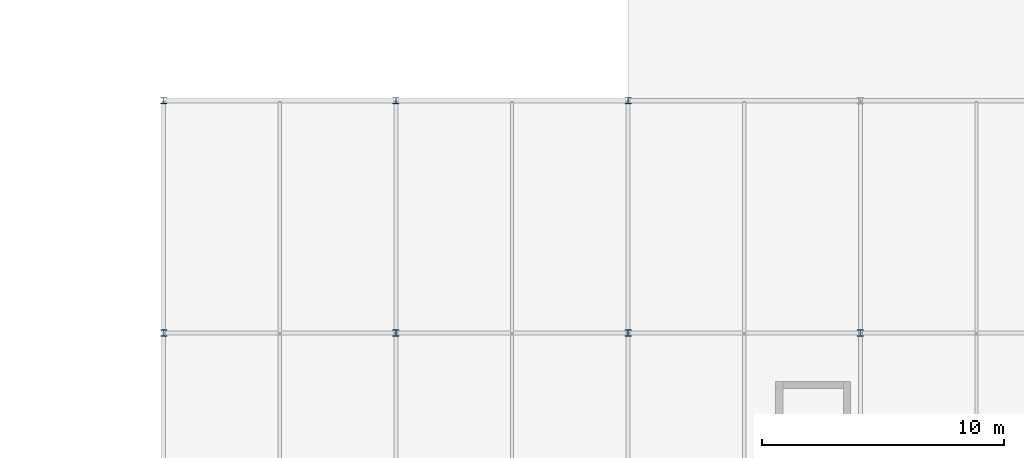
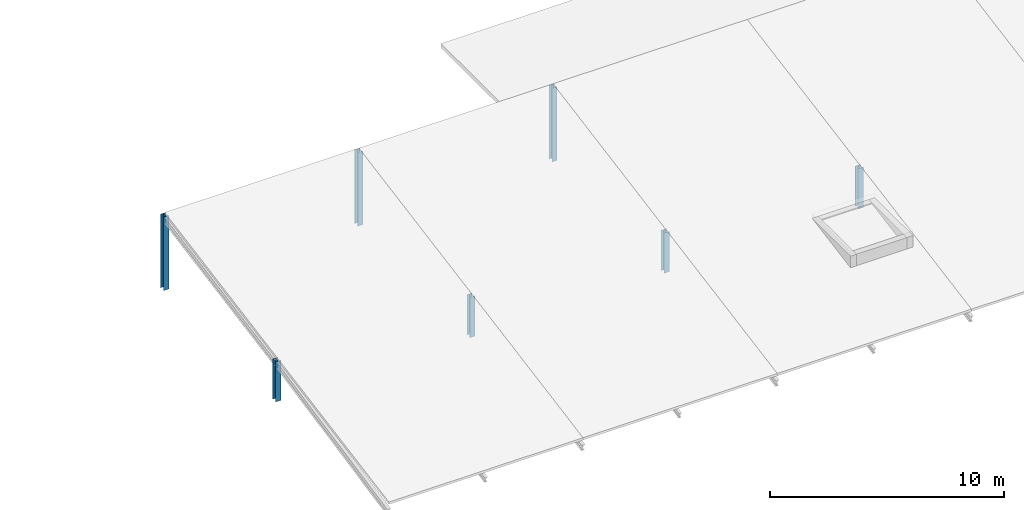
# One storey, part 7 of 126: 7 columns.
"""IFC4 building model written with IfcOpenShell, lengths in metres."""

from ifc_helpers import new_model, si_unit, direction, frame, origin, origin_2d, place, context, subcontext, project, spatial, i_section, extrude, material, material_profile, profile_set, type_object, element, save


model = new_model("IFC4")

# Units and contexts
model_context = context("Model", 3, precision=1e-05, world=origin(), true_north=direction((0.0, 1.0)))
body_context = subcontext(model_context, "Body", "Model", "MODEL_VIEW")
ifc_project = project(units=[si_unit("LENGTHUNIT", "METRE"), si_unit("AREAUNIT", "SQUARE_METRE"), si_unit("VOLUMEUNIT", "CUBIC_METRE"), si_unit("PLANEANGLEUNIT", "RADIAN"), si_unit("MASSUNIT", "GRAM", prefix="KILO")], contexts=[model_context])

# Site, building, storey
site_placement = place(None, origin())
site = spatial("IfcSite", under=ifc_project, at=site_placement, CompositionType="ELEMENT")
building_placement = place(site_placement, origin())
building = spatial("IfcBuilding", under=site, at=building_placement, Name="Coralgate Yard Interchange", CompositionType="ELEMENT")
storey_placement = place(building_placement, frame((0.0, 0.0, 10.5)))
storey = spatial("IfcBuildingStorey", under=building, at=storey_placement, Name="L02", CompositionType="ELEMENT", Elevation=10.5)

# Columns
ifc_material = material(Name="Structural steel S355J2", Category="steel")
ifc_material_profile = material_profile(ifc_material, i_section(OverallWidth=0.25634765625, OverallDepth=0.26025390625, WebThickness=0.01025390625, FlangeThickness=0.017333984375, FilletRadius=0.0126953125, at=origin_2d()), Name="UC 254x254x89")
ifc_profile_set = profile_set([ifc_material_profile], Name="Structural steel S355J2")
column_type = type_object("IfcColumnType", Name="COL-SC-8", PredefinedType="COLUMN", material=ifc_profile_set)
column_1_placement = place(storey_placement, frame((134.39990234375, 9.60009765625, -0.25), z_axis=(0.0, 0.0, 1.0), x_axis=(1.0, 0.0, 0.0)))
element("IfcColumn", 1, at=column_1_placement, inside=storey, type_object=column_type, Name="Cycle hub mid-ridge roof post 14", PredefinedType="COLUMN", context=body_context, shape_type="SweptSolid", body=[
    extrude(i_section(OverallWidth=0.25634765625, OverallDepth=0.26025390625, WebThickness=0.01025390625, FlangeThickness=0.017333984375, FilletRadius=0.0126953125, at=origin_2d()), origin(), (0.0, 0.0, 1.0), 2.10009765625),
])
column_2_placement = place(storey_placement, frame((134.39990234375, 19.199951171875, -0.25), z_axis=(0.0, 0.0, 1.0), x_axis=(1.0, 0.0, 0.0)))
element("IfcColumn", 2, at=column_2_placement, inside=storey, type_object=column_type, Name="Cycle hub high-eave roof post 14", PredefinedType="COLUMN", context=body_context, shape_type="SweptSolid", body=[
    extrude(i_section(OverallWidth=0.25634765625, OverallDepth=0.26025390625, WebThickness=0.01025390625, FlangeThickness=0.017333984375, FilletRadius=0.0126953125, at=origin_2d()), origin(), (0.0, 0.0, 1.0), 3.85009765625),
])
column_3_placement = place(storey_placement, frame((144.0, 9.60009765625, -0.25), z_axis=(0.0, 0.0, 1.0), x_axis=(1.0, 0.0, 0.0)))
element("IfcColumn", 3, at=column_3_placement, inside=storey, type_object=column_type, Name="Cycle hub mid-ridge roof post 15", PredefinedType="COLUMN", context=body_context, shape_type="SweptSolid", body=[
    extrude(i_section(OverallWidth=0.25634765625, OverallDepth=0.26025390625, WebThickness=0.01025390625, FlangeThickness=0.017333984375, FilletRadius=0.0126953125, at=origin_2d()), origin(), (0.0, 0.0, 1.0), 2.10009765625),
])
column_4_placement = place(storey_placement, frame((144.0, 19.199951171875, -0.25), z_axis=(0.0, 0.0, 1.0), x_axis=(1.0, 0.0, 0.0)))
element("IfcColumn", 4, at=column_4_placement, inside=storey, type_object=column_type, Name="Cycle hub high-eave roof post 15", PredefinedType="COLUMN", context=body_context, shape_type="SweptSolid", body=[
    extrude(i_section(OverallWidth=0.25634765625, OverallDepth=0.26025390625, WebThickness=0.01025390625, FlangeThickness=0.017333984375, FilletRadius=0.0126953125, at=origin_2d()), origin(), (0.0, 0.0, 1.0), 3.85009765625),
])
column_5_placement = place(storey_placement, frame((153.60009765625, 9.60009765625, -0.25), z_axis=(0.0, 0.0, 1.0), x_axis=(1.0, 0.0, 0.0)))
element("IfcColumn", 5, at=column_5_placement, inside=storey, type_object=column_type, Name="Cycle hub mid-ridge roof post 16", PredefinedType="COLUMN", context=body_context, shape_type="SweptSolid", body=[
    extrude(i_section(OverallWidth=0.25634765625, OverallDepth=0.26025390625, WebThickness=0.01025390625, FlangeThickness=0.017333984375, FilletRadius=0.0126953125, at=origin_2d()), origin(), (0.0, 0.0, 1.0), 2.10009765625),
])
column_6_placement = place(storey_placement, frame((153.60009765625, 19.199951171875, -0.25), z_axis=(0.0, 0.0, 1.0), x_axis=(1.0, 0.0, 0.0)))
element("IfcColumn", 6, at=column_6_placement, inside=storey, type_object=column_type, Name="Cycle hub high-eave roof post 16", PredefinedType="COLUMN", context=body_context, shape_type="SweptSolid", body=[
    extrude(i_section(OverallWidth=0.25634765625, OverallDepth=0.26025390625, WebThickness=0.01025390625, FlangeThickness=0.017333984375, FilletRadius=0.0126953125, at=origin_2d()), origin(), (0.0, 0.0, 1.0), 3.85009765625),
])
column_7_placement = place(storey_placement, frame((163.199951171875, 9.60009765625, -0.25), z_axis=(0.0, 0.0, 1.0), x_axis=(1.0, 0.0, 0.0)))
element("IfcColumn", 7, at=column_7_placement, inside=storey, type_object=column_type, Name="Cycle hub mid-ridge roof post 17", PredefinedType="COLUMN", context=body_context, shape_type="SweptSolid", body=[
    extrude(i_section(OverallWidth=0.25634765625, OverallDepth=0.26025390625, WebThickness=0.01025390625, FlangeThickness=0.017333984375, FilletRadius=0.0126953125, at=origin_2d()), origin(), (0.0, 0.0, 1.0), 2.10009765625),
])

save(model, "model.ifc")
